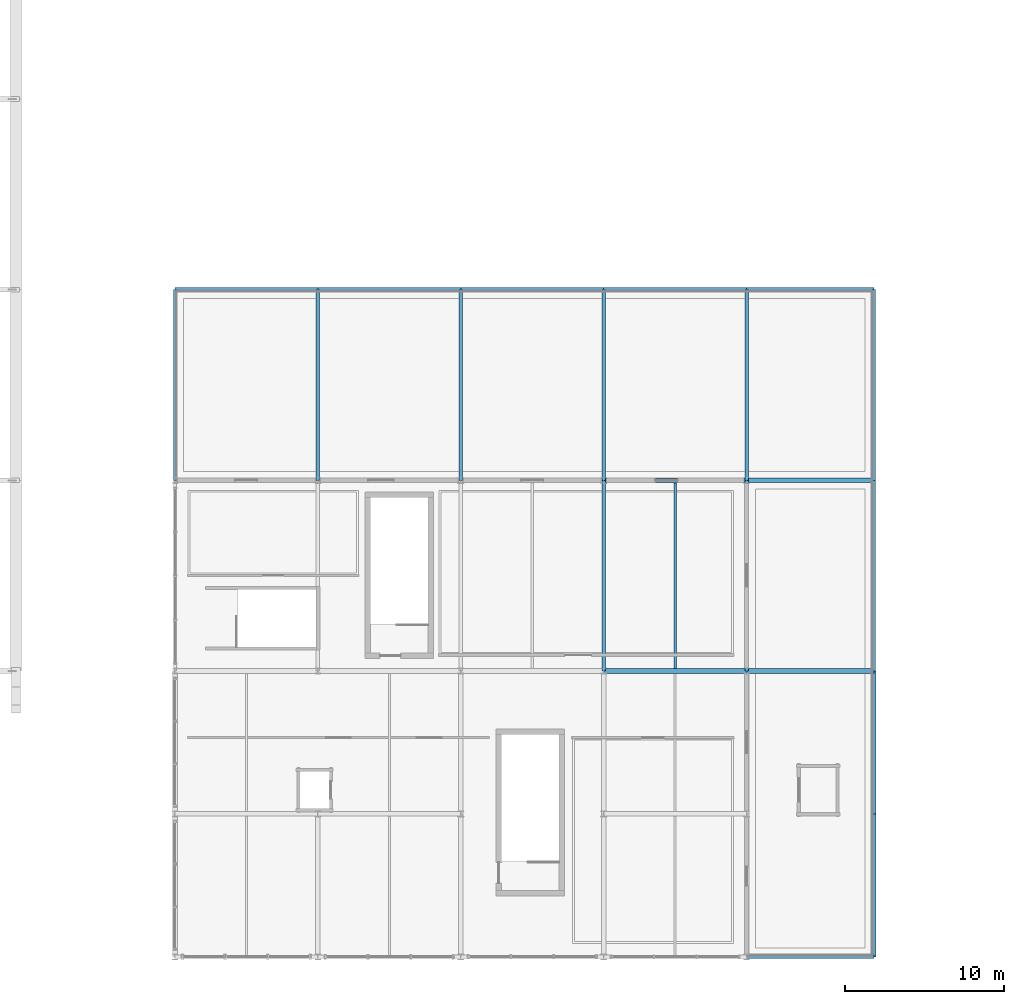
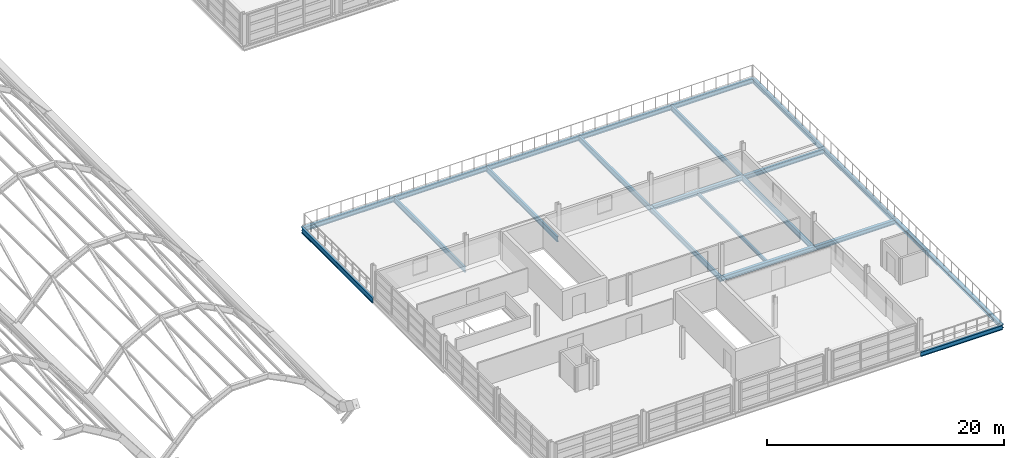
# One storey, part 37 of 86: 22 beams.
"""IFC4 building model written with IfcOpenShell, lengths in metres."""

from ifc_helpers import new_model, si_unit, direction, frame, origin, origin_2d, place, context, subcontext, project, spatial, i_section, extrude, material, material_profile, profile_set, type_object, element, save


model = new_model("IFC4")

# Units and contexts
model_context = context("Model", 3, precision=1e-05, world=origin(), true_north=direction((0.0, 1.0)))
body_context = subcontext(model_context, "Body", "Model", "MODEL_VIEW")
ifc_project = project(units=[si_unit("LENGTHUNIT", "METRE"), si_unit("AREAUNIT", "SQUARE_METRE"), si_unit("VOLUMEUNIT", "CUBIC_METRE"), si_unit("PLANEANGLEUNIT", "RADIAN"), si_unit("MASSUNIT", "GRAM", prefix="KILO")], contexts=[model_context])

# Site, building, storey
site_placement = place(None, origin())
site = spatial("IfcSite", under=ifc_project, at=site_placement, CompositionType="ELEMENT")
building_placement = place(site_placement, origin())
building = spatial("IfcBuilding", under=site, at=building_placement, Name="Chuanluo Vaults Station", CompositionType="ELEMENT")
storey_placement = place(building_placement, frame((0.0, 0.0, 14.39990234375)))
storey = spatial("IfcBuildingStorey", under=building, at=storey_placement, Name="L03", CompositionType="ELEMENT", Elevation=14.39990234375)

# Beams
ifc_material_1 = material(Name="Steel Q355C", Category="steel")
ifc_material_profile_1 = material_profile(ifc_material_1, i_section(OverallWidth=0.300048828125, OverallDepth=0.389892578125, WebThickness=0.010009765625, FlangeThickness=0.01611328125, FilletRadius=0.02001953125, at=origin_2d()))
ifc_profile_set_1 = profile_set([ifc_material_profile_1], Name="Steel Q355C")
beam_type_1 = type_object("IfcBeamType", Name="BM-GRD-400", PredefinedType="BEAM", material=ifc_profile_set_1)
for number, where, z_axis, x_axis, name in (
    (1, (180.0, 0.0, -0.4248046875), (0.0, 1.0, 0.0), (-1.0, 0.0, 0.0), "Floor girder BM:GY:L03:0824"),
    (2, (180.0, 9.0, -0.4248046875), (0.0, 1.0, 0.0), (-1.0, 0.0, 0.0), "Floor girder BM:GY:L03:0825"),
):
    element("IfcBeam", number, at=place(storey_placement, frame(where, z_axis=z_axis, x_axis=x_axis)), inside=storey, type_object=beam_type_1, Name=name, PredefinedType="BEAM", context=body_context, shape_type="SweptSolid", body=[
        extrude(i_section(OverallWidth=0.300048828125, OverallDepth=0.389892578125, WebThickness=0.010009765625, FlangeThickness=0.01611328125, FilletRadius=0.02001953125, at=origin_2d()), origin(), (0.0, 0.0, 1.0), 9.0),
    ])
ifc_material_2 = material(Name="Steel Q355C", Category="steel")
ifc_material_profile_2 = material_profile(ifc_material_2, i_section(OverallWidth=0.300048828125, OverallDepth=0.43994140625, WebThickness=0.010986328125, FlangeThickness=0.01806640625, FilletRadius=0.02001953125, at=origin_2d()))
ifc_profile_set_2 = profile_set([ifc_material_profile_2], Name="Steel Q355C")
beam_type_2 = type_object("IfcBeamType", Name="BM-GRD-450", PredefinedType="USERDEFINED", material=ifc_profile_set_2)
beam_1_placement = place(storey_placement, frame((163.0, 18.0, -0.419921875), z_axis=(1.0, 0.0, 0.0), x_axis=(0.0, 1.0, 0.0)))
element("IfcBeam", 3, at=beam_1_placement, inside=storey, type_object=beam_type_2, Name="Floor girder BM:GX:L03:0722", ObjectType="GIRDER", PredefinedType="USERDEFINED", context=body_context, shape_type="SweptSolid", body=[
    extrude(i_section(OverallWidth=0.300048828125, OverallDepth=0.43994140625, WebThickness=0.010986328125, FlangeThickness=0.01806640625, FilletRadius=0.02001953125, at=origin_2d()), origin(), (0.0, 0.0, 1.0), 9.0),
])
beam_2_placement = place(storey_placement, frame((172.0, 18.0, -0.449951171875), z_axis=(1.0, 0.0, 0.0), x_axis=(0.0, 1.0, 0.0)))
element("IfcBeam", 4, at=beam_2_placement, inside=storey, type_object=beam_type_2, Name="Floor girder BM:GX:L03:0723", ObjectType="GIRDER", PredefinedType="USERDEFINED", context=body_context, shape_type="SweptSolid", body=[
    extrude(i_section(OverallWidth=0.300048828125, OverallDepth=0.43994140625, WebThickness=0.010986328125, FlangeThickness=0.01806640625, FilletRadius=0.02001953125, at=origin_2d()), origin(), (0.0, 0.0, 1.0), 8.0),
])
beam_3_placement = place(storey_placement, frame((163.0, 30.0, -0.449951171875), z_axis=(1.0, 0.0, 0.0), x_axis=(0.0, 1.0, 0.0)))
element("IfcBeam", 5, at=beam_3_placement, inside=storey, type_object=beam_type_2, Name="Floor girder BM:GX:L03:0727", ObjectType="GIRDER", PredefinedType="USERDEFINED", context=body_context, shape_type="SweptSolid", body=[
    extrude(i_section(OverallWidth=0.300048828125, OverallDepth=0.43994140625, WebThickness=0.010986328125, FlangeThickness=0.01806640625, FilletRadius=0.02001953125, at=origin_2d()), origin(), (0.0, 0.0, 1.0), 9.0),
])
beam_4_placement = place(storey_placement, frame((172.0, 30.0, -0.449951171875), z_axis=(1.0, 0.0, 0.0), x_axis=(0.0, 1.0, 0.0)))
element("IfcBeam", 6, at=beam_4_placement, inside=storey, type_object=beam_type_2, Name="Floor girder BM:GX:L03:0728", ObjectType="GIRDER", PredefinedType="USERDEFINED", context=body_context, shape_type="SweptSolid", body=[
    extrude(i_section(OverallWidth=0.300048828125, OverallDepth=0.43994140625, WebThickness=0.010986328125, FlangeThickness=0.01806640625, FilletRadius=0.02001953125, at=origin_2d()), origin(), (0.0, 0.0, 1.0), 8.0),
])
for number, where, z_axis, x_axis, name in (
    (7, (136.0, 42.0, -0.449951171875), (1.0, 0.0, 0.0), (0.0, 1.0, 0.0), "Floor girder BM:GX:L03:0729"),
    (8, (145.0, 42.0, -0.449951171875), (1.0, 0.0, 0.0), (0.0, 1.0, 0.0), "Floor girder BM:GX:L03:0730"),
    (9, (154.0, 42.0, -0.449951171875), (1.0, 0.0, 0.0), (0.0, 1.0, 0.0), "Floor girder BM:GX:L03:0731"),
    (10, (163.0, 42.0, -0.449951171875), (1.0, 0.0, 0.0), (0.0, 1.0, 0.0), "Floor girder BM:GX:L03:0732"),
):
    element("IfcBeam", number, at=place(storey_placement, frame(where, z_axis=z_axis, x_axis=x_axis)), inside=storey, type_object=beam_type_2, Name=name, ObjectType="GIRDER", PredefinedType="USERDEFINED", context=body_context, shape_type="SweptSolid", body=[
        extrude(i_section(OverallWidth=0.300048828125, OverallDepth=0.43994140625, WebThickness=0.010986328125, FlangeThickness=0.01806640625, FilletRadius=0.02001953125, at=origin_2d()), origin(), (0.0, 0.0, 1.0), 9.0),
    ])
beam_5_placement = place(storey_placement, frame((172.0, 42.0, -0.449951171875), z_axis=(1.0, 0.0, 0.0), x_axis=(0.0, 1.0, 0.0)))
element("IfcBeam", 11, at=beam_5_placement, inside=storey, type_object=beam_type_2, Name="Floor girder BM:GX:L03:0733", ObjectType="GIRDER", PredefinedType="USERDEFINED", context=body_context, shape_type="SweptSolid", body=[
    extrude(i_section(OverallWidth=0.300048828125, OverallDepth=0.43994140625, WebThickness=0.010986328125, FlangeThickness=0.01806640625, FilletRadius=0.02001953125, at=origin_2d()), origin(), (0.0, 0.0, 1.0), 8.0),
])
ifc_material_3 = material(Name="Steel Q355C", Category="steel")
ifc_material_profile_3 = material_profile(ifc_material_3, i_section(OverallWidth=0.199951171875, OverallDepth=0.550048828125, WebThickness=0.010009765625, FlangeThickness=0.01611328125, FilletRadius=0.01806640625, at=origin_2d()))
ifc_profile_set_3 = profile_set([ifc_material_profile_3], Name="Steel Q355C")
beam_type_3 = type_object("IfcBeamType", Name="BM-GRD-550", PredefinedType="USERDEFINED", material=ifc_profile_set_3)
for number, where, z_axis, x_axis, name in (
    (12, (136.0, 30.0, -0.5048828125), (0.0, 1.0, 0.0), (-1.0, 0.0, 0.0), "Floor girder BM:GY:L03:0783"),
    (13, (145.0, 30.0, -0.5048828125), (0.0, 1.0, 0.0), (-1.0, 0.0, 0.0), "Floor girder BM:GY:L03:0788"),
    (14, (154.0, 30.0, -0.5048828125), (0.0, 1.0, 0.0), (-1.0, 0.0, 0.0), "Floor girder BM:GY:L03:0798"),
    (15, (163.0, 18.0, -0.474853515625), (0.0, 1.0, 0.0), (-1.0, 0.0, 0.0), "Floor girder BM:GY:L03:0806"),
    (16, (163.0, 30.0, -0.5048828125), (0.0, 1.0, 0.0), (-1.0, 0.0, 0.0), "Floor girder BM:GY:L03:0807"),
    (17, (172.0, 18.0, -0.5048828125), (0.0, 1.0, 0.0), (-1.0, 0.0, 0.0), "Floor girder BM:GY:L03:0816"),
    (18, (172.0, 30.0, -0.5048828125), (0.0, 1.0, 0.0), (-1.0, 0.0, 0.0), "Floor girder BM:GY:L03:0817"),
    (19, (180.0, 18.0, -0.5048828125), (0.0, 1.0, 0.0), (-1.0, 0.0, 0.0), "Floor girder BM:GY:L03:0826"),
    (20, (180.0, 30.0, -0.5048828125), (0.0, 1.0, 0.0), (-1.0, 0.0, 0.0), "Floor girder BM:GY:L03:0827"),
):
    element("IfcBeam", number, at=place(storey_placement, frame(where, z_axis=z_axis, x_axis=x_axis)), inside=storey, type_object=beam_type_3, Name=name, ObjectType="GIRDER", PredefinedType="USERDEFINED", context=body_context, shape_type="SweptSolid", body=[
        extrude(i_section(OverallWidth=0.199951171875, OverallDepth=0.550048828125, WebThickness=0.010009765625, FlangeThickness=0.01611328125, FilletRadius=0.01806640625, at=origin_2d()), origin(), (0.0, 0.0, 1.0), 12.0),
    ])
ifc_material_4 = material(Name="Steel Q355C", Category="steel")
ifc_material_profile_4 = material_profile(ifc_material_4, i_section(OverallWidth=0.175048828125, OverallDepth=0.35009765625, WebThickness=0.007080078125, FlangeThickness=0.010986328125, FilletRadius=0.013916015625, at=origin_2d()))
ifc_profile_set_4 = profile_set([ifc_material_profile_4], Name="Steel Q355C")
beam_type_4 = type_object("IfcBeamType", Name="BM-SEC-350", PredefinedType="JOIST", material=ifc_profile_set_4)
beam_6_placement = place(storey_placement, frame((167.5, 18.155029296875, -0.375), z_axis=(0.0, 1.0, 0.0), x_axis=(-1.0, 0.0, 0.0)))
element("IfcBeam", 21, at=beam_6_placement, inside=storey, type_object=beam_type_4, Name="Composite secondary joist 0252", PredefinedType="JOIST", context=body_context, shape_type="SweptSolid", body=[
    extrude(i_section(OverallWidth=0.175048828125, OverallDepth=0.35009765625, WebThickness=0.007080078125, FlangeThickness=0.010986328125, FilletRadius=0.013916015625, at=origin_2d()), origin(), (0.0, 0.0, 1.0), 11.68994140625),
])
ifc_material_5 = material(Name="Steel Q355C", Category="steel")
ifc_material_profile_5 = material_profile(ifc_material_5, i_section(OverallWidth=0.205078125, OverallDepth=0.4599609375, WebThickness=0.009033203125, FlangeThickness=0.013916015625, FilletRadius=0.01611328125, at=origin_2d()))
ifc_profile_set_5 = profile_set([ifc_material_profile_5], Name="Steel Q355C")
beam_type_5 = type_object("IfcBeamType", Name="BM-SPN-450", PredefinedType="SPANDREL", material=ifc_profile_set_5)
beam_7_placement = place(storey_placement, frame((172.0, 0.0, -0.4599609375), z_axis=(1.0, 0.0, 0.0), x_axis=(0.0, 1.0, 0.0)))
element("IfcBeam", 22, at=beam_7_placement, inside=storey, type_object=beam_type_5, Name="Floor girder BM:GX:L03:0715", PredefinedType="SPANDREL", context=body_context, shape_type="SweptSolid", body=[
    extrude(i_section(OverallWidth=0.205078125, OverallDepth=0.4599609375, WebThickness=0.009033203125, FlangeThickness=0.013916015625, FilletRadius=0.01611328125, at=origin_2d()), origin(), (0.0, 0.0, 1.0), 8.0),
])

save(model, "model.ifc")
